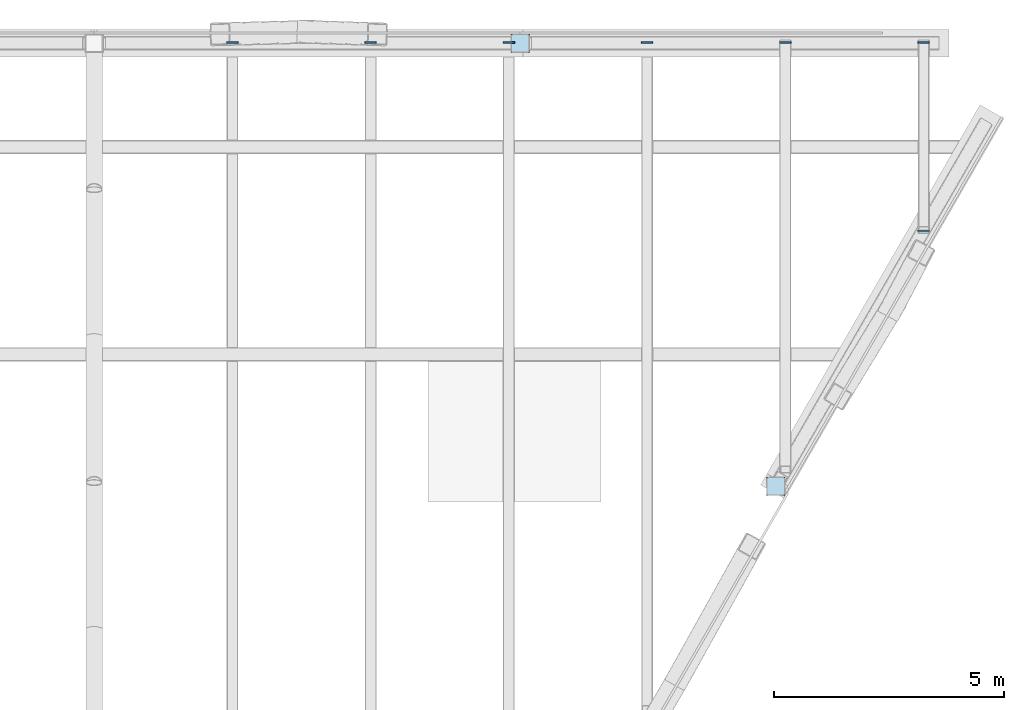
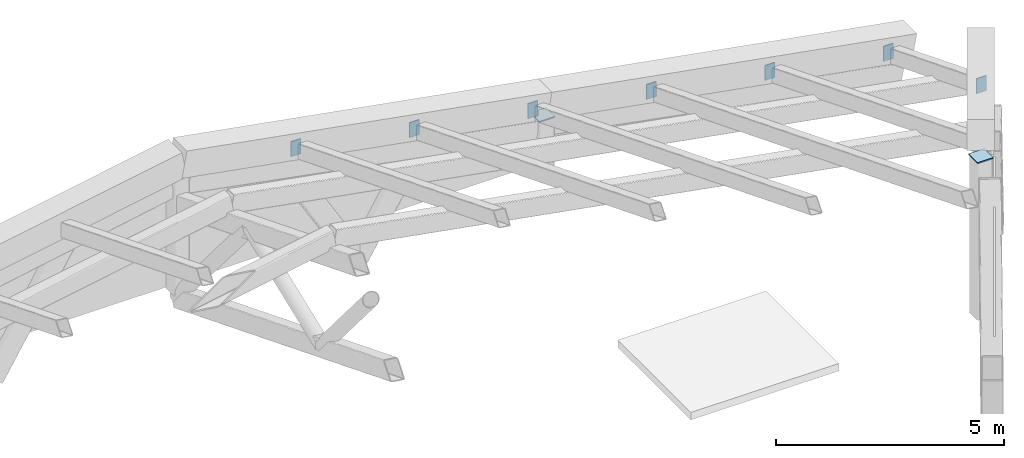
# One storey, part 5 of 6: 9 plates.
"""IFC4 building model written with IfcOpenShell, lengths in metres."""

from ifc_helpers import new_model, si_unit, direction, frame, origin, place, context, subcontext, project, spatial, polyline, outline, extrude, material, layer, layer_set, type_object, element, save


model = new_model("IFC4")

# Units and contexts
model_context = context("Model", 3, precision=1e-05, world=origin(), true_north=direction((0.0, 1.0)))
body_context = subcontext(model_context, "Body", "Model", "MODEL_VIEW")
ifc_project = project(units=[si_unit("LENGTHUNIT", "METRE"), si_unit("AREAUNIT", "SQUARE_METRE"), si_unit("VOLUMEUNIT", "CUBIC_METRE"), si_unit("PLANEANGLEUNIT", "RADIAN"), si_unit("MASSUNIT", "GRAM", prefix="KILO")], contexts=[model_context])

# Site, building, storey
site_placement = place(None, origin())
site = spatial("IfcSite", under=ifc_project, at=site_placement, CompositionType="ELEMENT")
building_placement = place(site_placement, origin())
building = spatial("IfcBuilding", under=site, at=building_placement, Name="Aloe Facet Convention Tower", CompositionType="ELEMENT")
storey_placement = place(building_placement, frame((0.0, 0.0, 293.89990234375)))
storey = spatial("IfcBuildingStorey", under=building, at=storey_placement, Name="C3", CompositionType="ELEMENT", Elevation=293.89990234375)

# Plates
ifc_material = material(Name="Steel S355", Category="steel")
ifc_layer = layer(ifc_material, 0.030029296875)
ifc_layer_set = layer_set([ifc_layer], Name="STW-CROWN END PLATE")
plate_type = type_object("IfcPlateType", Name="STW-CROWN END PLATE", PredefinedType="SHEET", material=ifc_layer_set)
plate_1_placement = place(storey_placement, frame((0.0, 0.0, 1.416015625)))
element("IfcPlate", 1, at=plate_1_placement, inside=storey, type_object=plate_type, Name="End plate CF-EP-N2", PredefinedType="SHEET", context=body_context, shape_type="SweptSolid", body=[
    extrude(outline(polyline([(89.04296875, 134.60009765625), (89.443115234375, 134.60009765625), (89.443115234375, 135.0), (89.04296875, 135.0), (89.04296875, 134.60009765625)])), origin(), (0.0, 0.0, 1.0), 0.030029296875),
])
plate_2_placement = place(storey_placement, frame((0.0, 0.0, 4.2001953125)))
element("IfcPlate", 2, at=plate_2_placement, inside=storey, type_object=plate_type, Name="End plate CF-EP-ESE4", PredefinedType="SHEET", context=body_context, shape_type="SweptSolid", body=[
    extrude(outline(polyline([(94.59130859375, 124.989990234375), (94.991455078125, 124.989990234375), (94.991455078125, 125.389892578125), (94.59130859375, 125.389892578125), (94.59130859375, 124.989990234375)])), origin(), (0.0, 0.0, 1.0), 0.02978515625),
])
for number, where, z_axis, x_axis, name in (
    (3, (82.875, 134.800048828125, 2.539794921875), (0.0, -1.0, 0.0), (1.0, 0.0, 0.0), "End plate CF-EP-E02N"),
    (4, (85.875, 134.800048828125, 1.999755859375), (0.0, -1.0, 0.0), (1.0, 0.0, 0.0), "End plate CF-EP-E04N"),
    (5, (88.875, 134.800048828125, 1.459716796875), (0.0, -1.0, 0.0), (1.0, 0.0, 0.0), "End plate CF-EP-E06N"),
    (6, (91.875, 134.800048828125, 0.919677734375), (0.0, -1.0, 0.0), (1.0, 0.0, 0.0), "End plate CF-EP-E08N"),
):
    element("IfcPlate", number, at=place(storey_placement, frame(where, z_axis=z_axis, x_axis=x_axis)), inside=storey, type_object=plate_type, Name=name, PredefinedType="SHEET", context=body_context, shape_type="SweptSolid", body=[
        extrude(outline(polyline([(0.0, 0.0), (0.25, 0.0), (0.25, 0.39990234375), (0.0, 0.39990234375), (0.0, 0.0)])), origin(), (0.0, 0.0, -1.0), 0.030029296875),
    ])
for number, where, z_axis, x_axis, name in (
    (7, (94.875, 134.800048828125, 0.379638671875), (0.0, -1.0, 0.0), (1.0, 0.0, 0.0), "End plate CF-EP-E10N"),
    (8, (97.875, 134.800048828125, -0.160400390625), (0.0, -1.0, 0.0), (1.0, 0.0, 0.0), "End plate CF-EP-E12N"),
):
    element("IfcPlate", number, at=place(storey_placement, frame(where, z_axis=z_axis, x_axis=x_axis)), inside=storey, type_object=plate_type, Name=name, PredefinedType="SHEET", context=body_context, shape_type="SweptSolid", body=[
        extrude(outline(polyline([(0.0, 0.0), (0.25, 0.0), (0.25, 0.400146484375), (0.0, 0.400146484375), (0.0, 0.0)])), origin(), (0.0, 0.0, -1.0), 0.030029296875),
    ])
plate_3_placement = place(storey_placement, frame((97.875, 130.74755859375, 1.852294921875), z_axis=(0.0, 1.0, 0.0), x_axis=(1.0, 0.0, 0.0)))
element("IfcPlate", 9, at=plate_3_placement, inside=storey, type_object=plate_type, Name="End plate CF-EP-E12S", PredefinedType="SHEET", context=body_context, shape_type="SweptSolid", body=[
    extrude(outline(polyline([(0.0, 0.0), (0.25, 0.0), (0.25, 0.39990234375), (0.0, 0.39990234375), (0.0, 0.0)])), origin(), (0.0, 0.0, -1.0), 0.030029296875),
])

save(model, "model.ifc")
